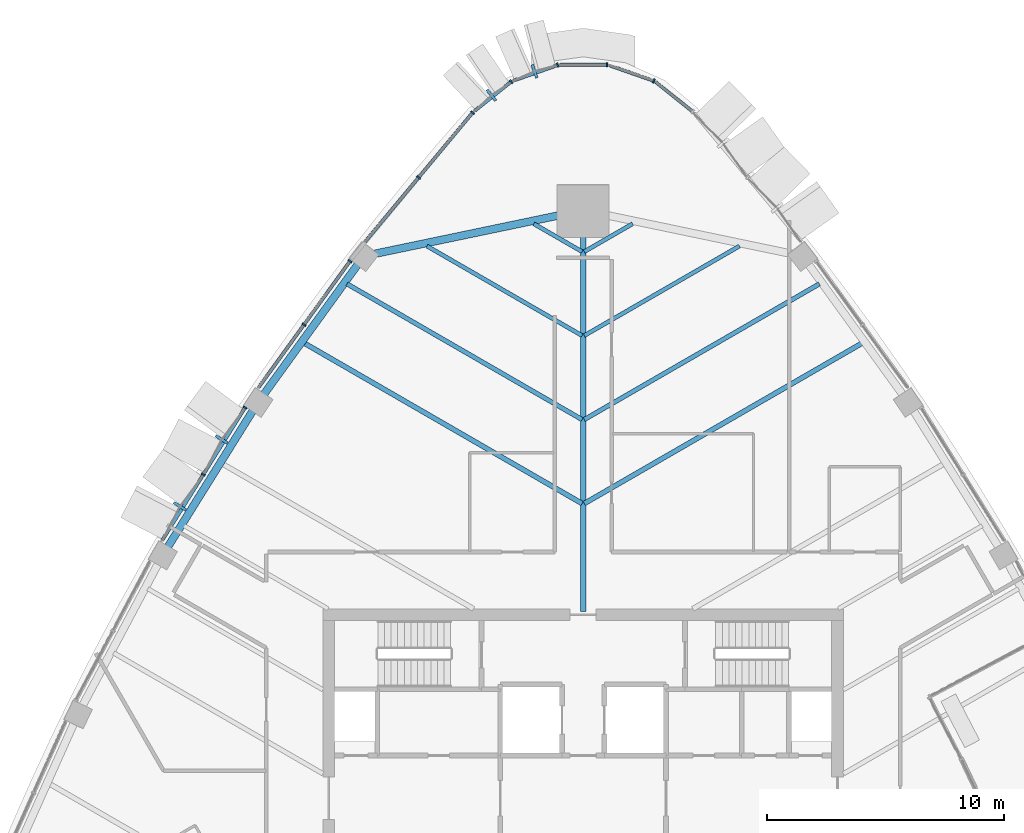
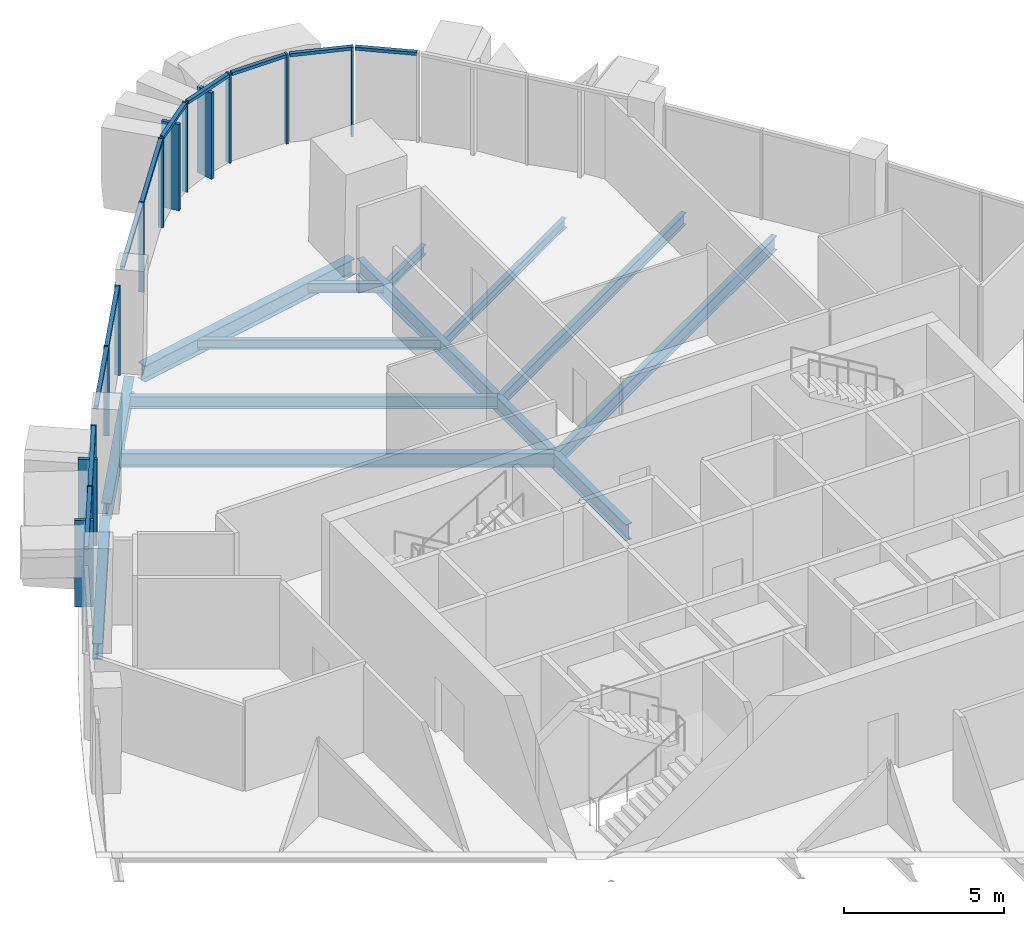
# One storey, part 7 of 21: 25 members, 12 beams, 8 elements without a shape of their own.
"""IFC4 building model written with IfcOpenShell, lengths in metres."""

from ifc_helpers import new_model, si_unit, direction, frame, origin, origin_2d, place, context, subcontext, project, spatial, rectangle, i_section, extrude, material, layer, layer_set, material_profile, profile_set, type_object, element, aggregate, save


model = new_model("IFC4")

# Units and contexts
model_context = context("Model", 3, precision=1e-05, world=origin(), true_north=direction((0.0, 1.0)))
body_context = subcontext(model_context, "Body", "Model", "MODEL_VIEW")
ifc_project = project(units=[si_unit("LENGTHUNIT", "METRE"), si_unit("AREAUNIT", "SQUARE_METRE"), si_unit("VOLUMEUNIT", "CUBIC_METRE"), si_unit("PLANEANGLEUNIT", "RADIAN"), si_unit("MASSUNIT", "GRAM", prefix="KILO")], contexts=[model_context])

# Site, building, storey
site_placement = place(None, origin())
site = spatial("IfcSite", under=ifc_project, at=site_placement, CompositionType="ELEMENT")
building_placement = place(site_placement, origin())
building = spatial("IfcBuilding", under=site, at=building_placement, Name="Sierra Prisma Convention Tower", CompositionType="ELEMENT")
storey_placement = place(building_placement, frame((0.0, 0.0, 259.0)))
storey = spatial("IfcBuildingStorey", under=building, at=storey_placement, Name="L58", CompositionType="ELEMENT", Elevation=259.0)

# Curtain wall, member
ifc_material_1 = material(Name="Aluminium and glass curtain wall", Category="aluminium")
ifc_layer_1 = layer(ifc_material_1, 0.179931640625)
ifc_layer_set_1 = layer_set([ifc_layer_1], Name="CW-2 Faceted crystal curtain wall")
curtain_wall_type_1 = type_object("IfcCurtainWallType", Name="CW-2 Faceted crystal curtain wall", PredefinedType="NOTDEFINED", material=ifc_layer_set_1)
curtain_wall_1_placement = place(storey_placement, origin())
curtain_wall_1 = element("IfcCurtainWall", 1, at=curtain_wall_1_placement, inside=storey, type_object=curtain_wall_type_1, Name="CW-2 N4 L58", PredefinedType="NOTDEFINED")
ifc_material_2 = material(Name="Aluminium 6063-T6 bronze anodised", Category="aluminium")
ifc_material_profile_1 = material_profile(ifc_material_2, rectangle(XDim=0.1201171875, YDim=0.60009765625, at=origin_2d()), Name="ALU RIDGE BLADE 120x600")
ifc_profile_set_1 = profile_set([ifc_material_profile_1], Name="Aluminium 6063-T6 bronze anodised")
member_type_1 = type_object("IfcMemberType", Name="CW hip bronze", PredefinedType="MULLION", material=ifc_profile_set_1)
member_1_placement = place(storey_placement, frame((-2.056396484375, 30.714599609375, 0.0), z_axis=(0.0, 0.0, 1.0), x_axis=(-0.943846388254, -0.330384617349, 0.0)))
member_1 = element("IfcMember", 2, at=member_1_placement, type_object=member_type_1, Name="CW-2 ridge N4.1", PredefinedType="MULLION", context=body_context, shape_type="SweptSolid", body=[
    extrude(rectangle(XDim=0.1201171875, YDim=0.60009765625, at=origin_2d()), origin(), (0.0, 0.0, 1.0), 3.280029296875),
])

curtain_wall_2_placement = place(storey_placement, origin())
curtain_wall_2 = element("IfcCurtainWall", 3, at=curtain_wall_2_placement, inside=storey, type_object=curtain_wall_type_1, Name="CW-2 N5 L58", PredefinedType="NOTDEFINED")
member_2_placement = place(storey_placement, frame((-3.8818359375, 29.705078125, 0.0), z_axis=(0.0, 0.0, 1.0), x_axis=(-0.781692009239, -0.623664655638, 0.0)))
member_2 = element("IfcMember", 4, at=member_2_placement, type_object=member_type_1, Name="CW-2 ridge N5.1", PredefinedType="MULLION", context=body_context, shape_type="SweptSolid", body=[
    extrude(rectangle(XDim=0.1201171875, YDim=0.60009765625, at=origin_2d()), origin(), (0.0, 0.0, 1.0), 3.280029296875),
])

# Curtain wall, members
curtain_wall_3_placement = place(storey_placement, origin())
curtain_wall_3 = element("IfcCurtainWall", 5, at=curtain_wall_3_placement, inside=storey, type_object=curtain_wall_type_1, Name="CW-2 NW3 L58", PredefinedType="NOTDEFINED")
member_3_placement = place(storey_placement, frame((-15.28271484375, 15.156494140625, 0.0), z_axis=(0.0, 0.0, 1.0), x_axis=(-0.529351013322, -0.848402914125, 0.0)))
member_3 = element("IfcMember", 6, at=member_3_placement, type_object=member_type_1, Name="CW-2 ridge NW3.1", PredefinedType="MULLION", context=body_context, shape_type="SweptSolid", body=[
    extrude(rectangle(XDim=0.1201171875, YDim=0.60009765625, at=origin_2d()), origin(), (0.0, 0.0, 1.0), 3.280029296875),
])
member_4_placement = place(storey_placement, frame((-17.046630859375, 12.329345703125, 0.0), z_axis=(0.0, 0.0, 1.0), x_axis=(-0.529351013322, -0.848402914125, 0.0)))
member_4 = element("IfcMember", 7, at=member_4_placement, type_object=member_type_1, Name="CW-2 ridge NW3.2", PredefinedType="MULLION", context=body_context, shape_type="SweptSolid", body=[
    extrude(rectangle(XDim=0.1201171875, YDim=0.60009765625, at=origin_2d()), origin(), (0.0, 0.0, 1.0), 3.280029296875),
])

# Curtain wall, member
ifc_material_3 = material(Name="Aluminium and glass curtain wall", Category="aluminium")
ifc_layer_2 = layer(ifc_material_3, 0.179931640625)
ifc_layer_set_2 = layer_set([ifc_layer_2], Name="CW-1 Plain shaft curtain wall")
curtain_wall_type_2 = type_object("IfcCurtainWallType", Name="CW-1 Plain shaft curtain wall", PredefinedType="NOTDEFINED", material=ifc_layer_set_2)
curtain_wall_4_placement = place(storey_placement, origin())
curtain_wall_4 = element("IfcCurtainWall", 8, at=curtain_wall_4_placement, inside=storey, type_object=curtain_wall_type_2, Name="CW-1 N2 L58", PredefinedType="NOTDEFINED")
ifc_material_4 = material(Name="Aluminium 6063-T6 bronze anodised", Category="aluminium")
ifc_material_profile_2 = material_profile(ifc_material_4, rectangle(XDim=0.179931640625, YDim=0.070068359375, at=origin_2d()), Name="ALU MULLION 70x180")
ifc_profile_set_2 = profile_set([ifc_material_profile_2], Name="Aluminium 6063-T6 bronze anodised")
member_type_2 = type_object("IfcMemberType", Name="CW mullion bronze", PredefinedType="MULLION", material=ifc_profile_set_2)
member_5_placement = place(storey_placement, frame((2.984130859375, 30.308349609375, 0.0), z_axis=(0.0, 0.0, 1.0), x_axis=(-0.330384617349, -0.943846388254, 0.0)))
member_5 = element("IfcMember", 9, at=member_5_placement, type_object=member_type_2, Name="CW-1 mullion N2.1", PredefinedType="MULLION", context=body_context, shape_type="SweptSolid", body=[
    extrude(rectangle(XDim=0.179931640625, YDim=0.070068359375, at=origin_2d()), origin(), (0.0, 0.0, 1.0), 3.39990234375),
])

curtain_wall_5_placement = place(storey_placement, origin())
curtain_wall_5 = element("IfcCurtainWall", 10, at=curtain_wall_5_placement, inside=storey, type_object=curtain_wall_type_2, Name="CW-1 N3 L58", PredefinedType="NOTDEFINED")
member_6_placement = place(storey_placement, frame((1.009765625, 30.9873046875, 0.0), z_axis=(0.0, 0.0, 1.0), x_axis=(0.0, -1.0, 0.0)))
member_6 = element("IfcMember", 11, at=member_6_placement, type_object=member_type_2, Name="CW-1 mullion N3.1", PredefinedType="MULLION", context=body_context, shape_type="SweptSolid", body=[
    extrude(rectangle(XDim=0.179931640625, YDim=0.070068359375, at=origin_2d()), origin(), (0.0, 0.0, 1.0), 3.39990234375),
])

# Member
member_7_placement = place(storey_placement, frame((-1.077880859375, 30.975830078125, 0.0), z_axis=(0.0, 0.0, 1.0), x_axis=(0.330384617349, -0.943846388254, 0.0)))
member_7 = element("IfcMember", 12, at=member_7_placement, type_object=member_type_2, Name="CW-1 mullion N4.1", PredefinedType="MULLION", context=body_context, shape_type="SweptSolid", body=[
    extrude(rectangle(XDim=0.179931640625, YDim=0.070068359375, at=origin_2d()), origin(), (0.0, 0.0, 1.0), 3.39990234375),
])

member_8_placement = place(storey_placement, frame((-3.044677734375, 30.275146484375, 0.0), z_axis=(0.0, 0.0, 1.0), x_axis=(0.623664655638, -0.781692009239, 0.0)))
member_8 = element("IfcMember", 13, at=member_8_placement, type_object=member_type_2, Name="CW-1 mullion N5.1", PredefinedType="MULLION", context=body_context, shape_type="SweptSolid", body=[
    extrude(rectangle(XDim=0.179931640625, YDim=0.070068359375, at=origin_2d()), origin(), (0.0, 0.0, 1.0), 3.39990234375),
])

# Curtain wall, members
curtain_wall_6_placement = place(storey_placement, origin())
curtain_wall_6 = element("IfcCurtainWall", 14, at=curtain_wall_6_placement, inside=storey, type_object=curtain_wall_type_2, Name="CW-1 NW1 L58", PredefinedType="NOTDEFINED")
member_9_placement = place(storey_placement, frame((-4.673095703125, 28.966796875, 0.0), z_axis=(0.0, 0.0, 1.0), x_axis=(0.768193251929, -0.64021803137, 0.0)))
member_9 = element("IfcMember", 15, at=member_9_placement, type_object=member_type_2, Name="CW-1 mullion NW1.1", PredefinedType="MULLION", context=body_context, shape_type="SweptSolid", body=[
    extrude(rectangle(XDim=0.179931640625, YDim=0.070068359375, at=origin_2d()), origin(), (0.0, 0.0, 1.0), 3.39990234375),
])
member_10_placement = place(storey_placement, frame((-6.95458984375, 26.229248046875, 0.0), z_axis=(0.0, 0.0, 1.0), x_axis=(0.768193251929, -0.64021803137, 0.0)))
member_10 = element("IfcMember", 16, at=member_10_placement, type_object=member_type_2, Name="CW-1 mullion NW1.2", PredefinedType="MULLION", context=body_context, shape_type="SweptSolid", body=[
    extrude(rectangle(XDim=0.179931640625, YDim=0.070068359375, at=origin_2d()), origin(), (0.0, 0.0, 1.0), 3.39990234375),
])

curtain_wall_7_placement = place(storey_placement, origin())
curtain_wall_7 = element("IfcCurtainWall", 17, at=curtain_wall_7_placement, inside=storey, type_object=curtain_wall_type_2, Name="CW-1 NW2 L58", PredefinedType="NOTDEFINED")
member_11_placement = place(storey_placement, frame((-9.8564453125, 22.690673828125, 0.0), z_axis=(0.0, 0.0, 1.0), x_axis=(0.810196682873, -0.586158114386, 0.0)))
member_11 = element("IfcMember", 18, at=member_11_placement, type_object=member_type_2, Name="CW-1 mullion NW2.1", PredefinedType="MULLION", context=body_context, shape_type="SweptSolid", body=[
    extrude(rectangle(XDim=0.179931640625, YDim=0.070068359375, at=origin_2d()), origin(), (0.0, 0.0, 1.0), 3.39990234375),
])
member_12_placement = place(storey_placement, frame((-11.80029296875, 20.00390625, 0.0), z_axis=(0.0, 0.0, 1.0), x_axis=(0.810196682873, -0.586158114386, 0.0)))
member_12 = element("IfcMember", 19, at=member_12_placement, type_object=member_type_2, Name="CW-1 mullion NW2.2", PredefinedType="MULLION", context=body_context, shape_type="SweptSolid", body=[
    extrude(rectangle(XDim=0.179931640625, YDim=0.070068359375, at=origin_2d()), origin(), (0.0, 0.0, 1.0), 3.39990234375),
])

# Member
member_13_placement = place(storey_placement, frame((-14.291748046875, 16.502197265625, 0.0), z_axis=(0.0, 0.0, 1.0), x_axis=(0.848402914125, -0.529351013322, 0.0)))
member_13 = element("IfcMember", 20, at=member_13_placement, type_object=member_type_2, Name="CW-1 mullion NW3.1", PredefinedType="MULLION", context=body_context, shape_type="SweptSolid", body=[
    extrude(rectangle(XDim=0.179931640625, YDim=0.070068359375, at=origin_2d()), origin(), (0.0, 0.0, 1.0), 3.39990234375),
])

member_14_placement = place(storey_placement, frame((-16.0556640625, 13.675048828125, 0.0), z_axis=(0.0, 0.0, 1.0), x_axis=(0.848402914125, -0.529351013322, 0.0)))
member_14 = element("IfcMember", 21, at=member_14_placement, type_object=member_type_2, Name="CW-1 mullion NW3.2", PredefinedType="MULLION", context=body_context, shape_type="SweptSolid", body=[
    extrude(rectangle(XDim=0.179931640625, YDim=0.070068359375, at=origin_2d()), origin(), (0.0, 0.0, 1.0), 3.39990234375),
])

# Curtain wall, member
curtain_wall_8_placement = place(storey_placement, origin())
curtain_wall_8 = element("IfcCurtainWall", 22, at=curtain_wall_8_placement, inside=storey, type_object=curtain_wall_type_2, Name="CW-1 N1 L58", PredefinedType="NOTDEFINED")
ifc_material_5 = material(Name="Aluminium 6063-T6 bronze anodised", Category="aluminium")
ifc_material_profile_3 = material_profile(ifc_material_5, rectangle(XDim=0.139892578125, YDim=0.1201171875, at=origin_2d()), Name="ALU TRANSOM 120x140")
ifc_profile_set_3 = profile_set([ifc_material_profile_3], Name="Aluminium 6063-T6 bronze anodised")
member_type_3 = type_object("IfcMemberType", Name="CW transom bronze", PredefinedType="USERDEFINED", material=ifc_profile_set_3)
member_15_placement = place(storey_placement, frame((4.595947265625, 29.037109375, 3.340087890625), z_axis=(-0.781637876068, 0.62373249931, 0.0), x_axis=(-0.62373249931, -0.781637876068, 0.0)))
member_15 = element("IfcMember", 23, at=member_15_placement, type_object=member_type_3, Name="CW-1 transom N1.1", ObjectType="TRANSOM", PredefinedType="USERDEFINED", context=body_context, shape_type="SweptSolid", body=[
    extrude(rectangle(XDim=0.139892578125, YDim=0.1201171875, at=origin_2d()), origin(), (0.0, 0.0, 1.0), 1.94970703125),
])
aggregate(curtain_wall_8, [member_15])

# Member
member_16_placement = place(storey_placement, frame((2.951171875, 30.320068359375, 3.340087890625), z_axis=(-0.943870068527, 0.330316959508, 0.0), x_axis=(-0.330316959508, -0.943870068527, 0.0)))
member_16 = element("IfcMember", 24, at=member_16_placement, type_object=member_type_3, Name="CW-1 transom N2.1", ObjectType="TRANSOM", PredefinedType="USERDEFINED", context=body_context, shape_type="SweptSolid", body=[
    extrude(rectangle(XDim=0.139892578125, YDim=0.1201171875, at=origin_2d()), origin(), (0.0, 0.0, 1.0), 1.94970703125),
])

aggregate(curtain_wall_4, [member_5, member_16])

member_17_placement = place(storey_placement, frame((0.974853515625, 30.9873046875, 3.340087890625), z_axis=(-1.0, 0.0, 0.0), x_axis=(0.0, -1.0, 0.0)))
member_17 = element("IfcMember", 25, at=member_17_placement, type_object=member_type_3, Name="CW-1 transom N3.1", ObjectType="TRANSOM", PredefinedType="USERDEFINED", context=body_context, shape_type="SweptSolid", body=[
    extrude(rectangle(XDim=0.139892578125, YDim=0.1201171875, at=origin_2d()), origin(), (0.0, 0.0, 1.0), 1.94970703125),
])

aggregate(curtain_wall_5, [member_6, member_17])

member_18_placement = place(storey_placement, frame((-1.11083984375, 30.964111328125, 3.340087890625), z_axis=(-0.943870068527, -0.330316959508, 0.0), x_axis=(0.330316959508, -0.943870068527, 0.0)))
member_18 = element("IfcMember", 26, at=member_18_placement, type_object=member_type_3, Name="CW-1 transom N4.1", ObjectType="TRANSOM", PredefinedType="USERDEFINED", context=body_context, shape_type="SweptSolid", body=[
    extrude(rectangle(XDim=0.139892578125, YDim=0.1201171875, at=origin_2d()), origin(), (0.0, 0.0, 1.0), 1.94970703125),
])

aggregate(curtain_wall_1, [member_7, member_18, member_1])

member_19_placement = place(storey_placement, frame((-3.072021484375, 30.253173828125, 3.340087890625), z_axis=(-0.781637876068, -0.62373249931, 0.0), x_axis=(0.62373249931, -0.781637876068, 0.0)))
member_19 = element("IfcMember", 27, at=member_19_placement, type_object=member_type_3, Name="CW-1 transom N5.1", ObjectType="TRANSOM", PredefinedType="USERDEFINED", context=body_context, shape_type="SweptSolid", body=[
    extrude(rectangle(XDim=0.139892578125, YDim=0.1201171875, at=origin_2d()), origin(), (0.0, 0.0, 1.0), 1.94970703125),
])

aggregate(curtain_wall_2, [member_8, member_19, member_2])

member_20_placement = place(storey_placement, frame((-4.695556640625, 28.939697265625, 3.340087890625), z_axis=(-0.640225642938, -0.768186908326, 0.0), x_axis=(0.768186908326, -0.640225642938, 0.0)))
member_20 = element("IfcMember", 28, at=member_20_placement, type_object=member_type_3, Name="CW-1 transom NW1.1", ObjectType="TRANSOM", PredefinedType="USERDEFINED", context=body_context, shape_type="SweptSolid", body=[
    extrude(rectangle(XDim=0.139892578125, YDim=0.1201171875, at=origin_2d()), origin(), (0.0, 0.0, 1.0), 3.493408203125),
])

member_21_placement = place(storey_placement, frame((-6.97705078125, 26.202392578125, 3.340087890625), z_axis=(-0.640184399664, -0.768221279597, 0.0), x_axis=(0.768221279597, -0.640184399664, 0.0)))
member_21 = element("IfcMember", 29, at=member_21_placement, type_object=member_type_3, Name="CW-1 transom NW1.2", ObjectType="TRANSOM", PredefinedType="USERDEFINED", context=body_context, shape_type="SweptSolid", body=[
    extrude(rectangle(XDim=0.139892578125, YDim=0.1201171875, at=origin_2d()), origin(), (0.0, 0.0, 1.0), 3.4931640625),
])

aggregate(curtain_wall_6, [member_9, member_10, member_20, member_21])

member_22_placement = place(storey_placement, frame((-9.876953125, 22.662353515625, 3.340087890625), z_axis=(-0.586157601342, -0.810197054049, 0.0), x_axis=(0.810197054049, -0.586157601342, 0.0)))
member_22 = element("IfcMember", 30, at=member_22_placement, type_object=member_type_3, Name="CW-1 transom NW2.1", ObjectType="TRANSOM", PredefinedType="USERDEFINED", context=body_context, shape_type="SweptSolid", body=[
    extrude(rectangle(XDim=0.139892578125, YDim=0.1201171875, at=origin_2d()), origin(), (0.0, 0.0, 1.0), 3.246337890625),
])

member_23_placement = place(storey_placement, frame((-11.82080078125, 19.9755859375, 3.340087890625), z_axis=(-0.586171250973, -0.810187178702, 0.0), x_axis=(0.810187178702, -0.586171250973, 0.0)))
member_23 = element("IfcMember", 31, at=member_23_placement, type_object=member_type_3, Name="CW-1 transom NW2.2", ObjectType="TRANSOM", PredefinedType="USERDEFINED", context=body_context, shape_type="SweptSolid", body=[
    extrude(rectangle(XDim=0.139892578125, YDim=0.1201171875, at=origin_2d()), origin(), (0.0, 0.0, 1.0), 3.24658203125),
])

aggregate(curtain_wall_7, [member_11, member_12, member_22, member_23])

member_24_placement = place(storey_placement, frame((-14.310302734375, 16.472412109375, 3.340087890625), z_axis=(-0.529319354364, -0.848422666538, 0.0), x_axis=(0.848422666538, -0.529319354364, 0.0)))
member_24 = element("IfcMember", 32, at=member_24_placement, type_object=member_type_3, Name="CW-1 transom NW3.1", ObjectType="TRANSOM", PredefinedType="USERDEFINED", context=body_context, shape_type="SweptSolid", body=[
    extrude(rectangle(XDim=0.139892578125, YDim=0.1201171875, at=origin_2d()), origin(), (0.0, 0.0, 1.0), 3.26220703125),
])

member_25_placement = place(storey_placement, frame((-16.07421875, 13.645263671875, 3.340087890625), z_axis=(-0.52940683072, -0.848368084965, 0.0), x_axis=(0.848368084965, -0.52940683072, 0.0)))
member_25 = element("IfcMember", 33, at=member_25_placement, type_object=member_type_3, Name="CW-1 transom NW3.2", ObjectType="TRANSOM", PredefinedType="USERDEFINED", context=body_context, shape_type="SweptSolid", body=[
    extrude(rectangle(XDim=0.139892578125, YDim=0.1201171875, at=origin_2d()), origin(), (0.0, 0.0, 1.0), 3.26220703125),
])

aggregate(curtain_wall_3, [member_13, member_14, member_24, member_3, member_25, member_4])

# Beams
ifc_material_6 = material(Name="Steel ASTM A992 Gr 50", Category="steel")
ifc_material_profile_4 = material_profile(ifc_material_6, i_section(OverallWidth=0.172119140625, OverallDepth=0.35791015625, WebThickness=0.0078125, FlangeThickness=0.01318359375, at=origin_2d()), Name="W360x57")
ifc_profile_set_4 = profile_set([ifc_material_profile_4], Name="Steel ASTM A992 Gr 50")
beam_type_1 = type_object("IfcBeamType", Name="Floor joist W360x57", PredefinedType="JOIST", material=ifc_profile_set_4)
beam_1_placement = place(storey_placement, frame((6.603271484375, 23.329345703125, -0.3291015625), z_axis=(-0.866026114163, -0.499998769586, 0.0), x_axis=(0.499998769586, -0.866026114163, 0.0)))
element("IfcBeam", 34, at=beam_1_placement, inside=storey, type_object=beam_type_1, Name="Floor joist L58 NE13", PredefinedType="JOIST", context=body_context, shape_type="SweptSolid", body=[
    extrude(i_section(OverallWidth=0.172119140625, OverallDepth=0.35791015625, WebThickness=0.0078125, FlangeThickness=0.01318359375, at=origin_2d()), origin(), (0.0, 0.0, 1.0), 7.57177734375),
])
for number, where, z_axis, x_axis, name in (
    (35, (2.089111328125, 24.271728515625, -0.3291015625), (-0.866018431725, -0.500012075767, 0.0), (0.500012075767, -0.866018431725, 0.0), "Floor joist L58 NE14"),
    (36, (-2.089111328125, 24.271728515625, -0.3291015625), (0.866018431725, -0.500012075767, 0.0), (0.500012075767, 0.866018431725, 0.0), "Floor joist L58 NW01"),
):
    element("IfcBeam", number, at=place(storey_placement, frame(where, z_axis=z_axis, x_axis=x_axis)), inside=storey, type_object=beam_type_1, Name=name, PredefinedType="JOIST", context=body_context, shape_type="SweptSolid", body=[
        extrude(i_section(OverallWidth=0.172119140625, OverallDepth=0.35791015625, WebThickness=0.0078125, FlangeThickness=0.01318359375, at=origin_2d()), origin(), (0.0, 0.0, 1.0), 2.359375),
    ])
beam_2_placement = place(storey_placement, frame((-6.603271484375, 23.329345703125, -0.3291015625), z_axis=(0.866026114163, -0.499998769586, 0.0), x_axis=(0.499998769586, 0.866026114163, 0.0)))
element("IfcBeam", 37, at=beam_2_placement, inside=storey, type_object=beam_type_1, Name="Floor joist L58 NW02", PredefinedType="JOIST", context=body_context, shape_type="SweptSolid", body=[
    extrude(i_section(OverallWidth=0.172119140625, OverallDepth=0.35791015625, WebThickness=0.0078125, FlangeThickness=0.01318359375, at=origin_2d()), origin(), (0.0, 0.0, 1.0), 7.57177734375),
])
ifc_material_7 = material(Name="Steel ASTM A992 Gr 50", Category="steel")
ifc_material_profile_5 = material_profile(ifc_material_7, i_section(OverallWidth=0.18994140625, OverallDepth=0.45703125, WebThickness=0.009033203125, FlangeThickness=0.014404296875, at=origin_2d()), Name="W460x74")
ifc_profile_set_5 = profile_set([ifc_material_profile_5], Name="Steel ASTM A992 Gr 50")
beam_type_2 = type_object("IfcBeamType", Name="Floor joist W460x74", PredefinedType="JOIST", material=ifc_profile_set_5)
for number, where, z_axis, x_axis, name in (
    (38, (9.980224609375, 21.73046875, -0.37841796875), (-0.866025033342, -0.500000641624, 0.0), (0.500000641624, -0.866025033342, 0.0), "Floor joist L58 NE12"),
    (39, (-9.980224609375, 21.73046875, -0.37841796875), (0.866025033342, -0.500000641624, 0.0), (0.500000641624, 0.866025033342, 0.0), "Floor joist L58 NW03"),
):
    element("IfcBeam", number, at=place(storey_placement, frame(where, z_axis=z_axis, x_axis=x_axis)), inside=storey, type_object=beam_type_2, Name=name, PredefinedType="JOIST", context=body_context, shape_type="SweptSolid", body=[
        extrude(i_section(OverallWidth=0.18994140625, OverallDepth=0.45703125, WebThickness=0.009033203125, FlangeThickness=0.014404296875, at=origin_2d()), origin(), (0.0, 0.0, 1.0), 11.47119140625),
    ])
ifc_material_8 = material(Name="Steel ASTM A992 Gr 50", Category="steel")
ifc_material_profile_6 = material_profile(ifc_material_8, i_section(OverallWidth=0.208984375, OverallDepth=0.532958984375, WebThickness=0.01025390625, FlangeThickness=0.015625, at=origin_2d()), Name="W530x92")
ifc_profile_set_6 = profile_set([ifc_material_profile_6], Name="Steel ASTM A992 Gr 50")
beam_type_3 = type_object("IfcBeamType", Name="Floor joist W530x92", PredefinedType="JOIST", material=ifc_profile_set_6)
for number, where, z_axis, x_axis, name in (
    (40, (11.791015625, 19.2275390625, -0.41650390625), (-0.866026703595, -0.499997748656, 0.0), (0.499997748656, -0.866026703595, 0.0), "Floor joist L58 NE11"),
    (41, (-11.791015625, 19.2275390625, -0.41650390625), (0.866026703595, -0.499997748656, 0.0), (0.499997748656, 0.866026703595, 0.0), "Floor joist L58 NW04"),
):
    element("IfcBeam", number, at=place(storey_placement, frame(where, z_axis=z_axis, x_axis=x_axis)), inside=storey, type_object=beam_type_3, Name=name, PredefinedType="JOIST", context=body_context, shape_type="SweptSolid", body=[
        extrude(i_section(OverallWidth=0.208984375, OverallDepth=0.532958984375, WebThickness=0.01025390625, FlangeThickness=0.015625, at=origin_2d()), origin(), (0.0, 0.0, 1.0), 13.56201171875),
    ])
ifc_material_9 = material(Name="Steel ASTM A992 Gr 50", Category="steel")
ifc_material_profile_7 = material_profile(ifc_material_9, i_section(OverallWidth=0.22998046875, OverallDepth=0.616943359375, WebThickness=0.01318359375, FlangeThickness=0.022216796875, at=origin_2d()), Name="W610x140")
ifc_profile_set_7 = profile_set([ifc_material_profile_7], Name="Steel ASTM A992 Gr 50")
beam_type_4 = type_object("IfcBeamType", Name="Radial girder W610x140", PredefinedType="BEAM", material=ifc_profile_set_7)
beam_3_placement = place(storey_placement, frame((0.0, 24.61962890625, -0.45849609375), z_axis=(0.0, -1.0, 0.0), x_axis=(1.0, 0.0, 0.0)))
element("IfcBeam", 42, at=beam_3_placement, inside=storey, type_object=beam_type_4, Name="Radial girder L58 N", PredefinedType="BEAM", context=body_context, shape_type="SweptSolid", body=[
    extrude(i_section(OverallWidth=0.22998046875, OverallDepth=0.616943359375, WebThickness=0.01318359375, FlangeThickness=0.022216796875, at=origin_2d()), origin(), (0.0, 0.0, 1.0), 16.73974609375),
])
ifc_material_10 = material(Name="Steel ASTM A992 Gr 50", Category="steel")
ifc_material_profile_8 = material_profile(ifc_material_10, i_section(OverallWidth=0.324951171875, OverallDepth=0.615966796875, WebThickness=0.013916015625, FlangeThickness=0.021484375, at=origin_2d()), Name="W610x174")
ifc_profile_set_8 = profile_set([ifc_material_profile_8], Name="Steel ASTM A992 Gr 50")
beam_type_5 = type_object("IfcBeamType", Name="Spandrel beam W610x174", PredefinedType="BEAM", material=ifc_profile_set_8)
beam_4_placement = place(storey_placement, frame((-0.219970703125, 24.793701171875, -0.4580078125), z_axis=(-0.978900252178, -0.204338680348, 0.0), x_axis=(0.204338680348, -0.978900252178, 0.0)))
element("IfcBeam", 43, at=beam_4_placement, inside=storey, type_object=beam_type_5, Name="Spandrel L58-13", PredefinedType="BEAM", context=body_context, shape_type="SweptSolid", body=[
    extrude(i_section(OverallWidth=0.324951171875, OverallDepth=0.615966796875, WebThickness=0.013916015625, FlangeThickness=0.021484375, at=origin_2d()), origin(), (0.0, 0.0, 1.0), 8.7744140625),
])
for number, where, z_axis, x_axis, name in (
    (44, (-9.463623046875, 22.636962890625, -0.4580078125), (-0.586159947354, -0.810195356761, 0.0), (0.810195356761, -0.586159947354, 0.0), "Spandrel L58-14"),
    (45, (-13.9130859375, 16.448486328125, -0.4580078125), (-0.529321090992, -0.848421583077, 0.0), (0.848421583077, -0.529321090992, 0.0), "Spandrel L58-15"),
):
    element("IfcBeam", number, at=place(storey_placement, frame(where, z_axis=z_axis, x_axis=x_axis)), inside=storey, type_object=beam_type_5, Name=name, PredefinedType="BEAM", context=body_context, shape_type="SweptSolid", body=[
        extrude(i_section(OverallWidth=0.324951171875, OverallDepth=0.615966796875, WebThickness=0.013916015625, FlangeThickness=0.021484375, at=origin_2d()), origin(), (0.0, 0.0, 1.0), 6.96240234375),
    ])

save(model, "model.ifc")
